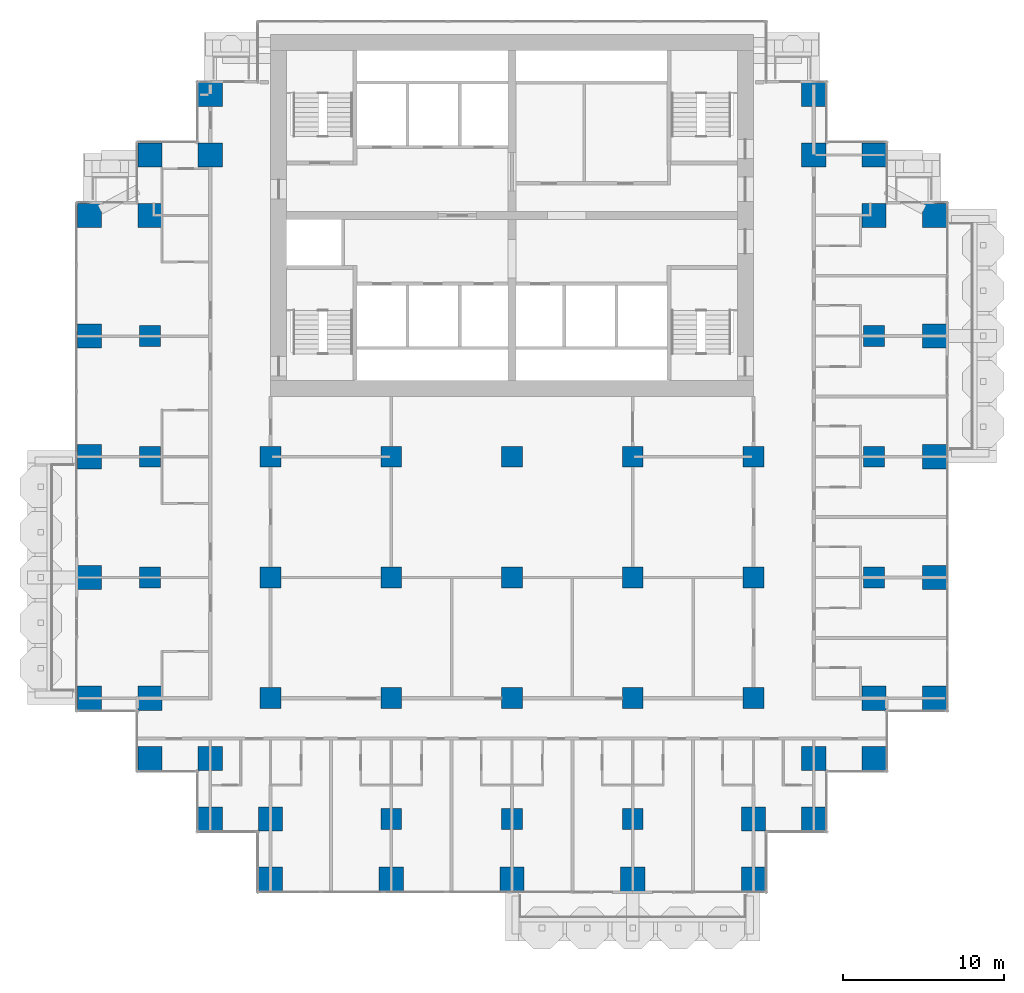
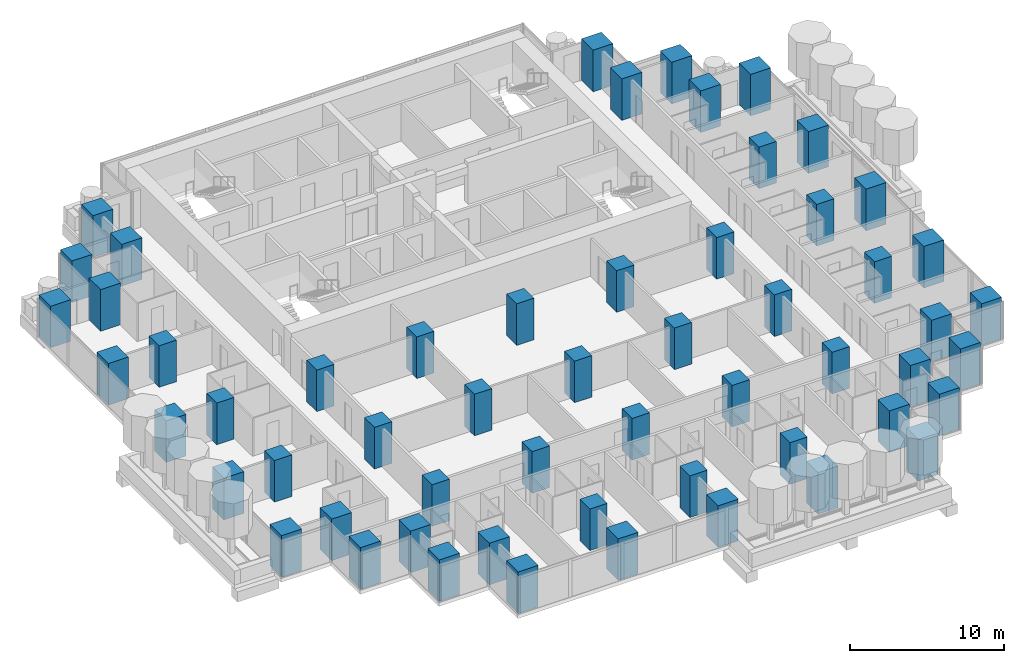
# One storey, part 1 of 20: 57 columns.
"""IFC4 building model written with IfcOpenShell, lengths in metres."""

from ifc_helpers import new_model, si_unit, direction, frame, origin, origin_2d, place, context, subcontext, project, spatial, rectangle, extrude, material, material_profile, profile_set, type_object, element, save


model = new_model("IFC4")

# Units and contexts
model_context = context("Model", 3, precision=1e-05, world=origin(), true_north=direction((0.0, 1.0)))
body_context = subcontext(model_context, "Body", "Model", "MODEL_VIEW")
ifc_project = project(units=[si_unit("LENGTHUNIT", "METRE"), si_unit("AREAUNIT", "SQUARE_METRE"), si_unit("VOLUMEUNIT", "CUBIC_METRE"), si_unit("PLANEANGLEUNIT", "RADIAN"), si_unit("MASSUNIT", "GRAM", prefix="KILO")], contexts=[model_context])

# Site, building, storey
site_placement = place(None, origin())
site = spatial("IfcSite", under=ifc_project, at=site_placement, CompositionType="ELEMENT")
building_placement = place(site_placement, origin())
building = spatial("IfcBuilding", under=site, at=building_placement, Name="Pilkhan Gate Tower", CompositionType="ELEMENT")
storey_placement = place(building_placement, frame((0.0, 0.0, 92.300048828125)))
storey = spatial("IfcBuildingStorey", under=building, at=storey_placement, Name="L22", CompositionType="ELEMENT", Elevation=92.300048828125)

# Columns
ifc_material = material(Name="Concrete C70/85", Category="concrete")
ifc_material_profile_1 = material_profile(ifc_material, rectangle(XDim=1.300048828125, YDim=1.300048828125, at=origin_2d()), Name="RC 1300x1300")
ifc_profile_set_1 = profile_set([ifc_material_profile_1], Name="Concrete C70/85")
column_type_1 = type_object("IfcColumnType", Name="Column C130 RC 1300x1300 C70/85", PredefinedType="COLUMN", material=ifc_profile_set_1)
for number, where, z_axis, x_axis, name in (
    (1, (52.5, 60.0, 0.0), (0.0, 0.0, 1.0), (1.0, 0.0, 0.0), "Column 5/F L22"),
    (2, (52.5, 67.5, 0.0), (0.0, 0.0, 1.0), (1.0, 0.0, 0.0), "Column 5/H L22"),
    (3, (52.5, 75.0, 0.0), (0.0, 0.0, 1.0), (1.0, 0.0, 0.0), "Column 5/K L22"),
    (4, (60.0, 52.5, 0.0), (0.0, 0.0, 1.0), (1.0, 0.0, 0.0), "Column 7/D L22"),
    (5, (60.0, 60.0, 0.0), (0.0, 0.0, 1.0), (1.0, 0.0, 0.0), "Column 7/F L22"),
    (6, (60.0, 67.5, 0.0), (0.0, 0.0, 1.0), (1.0, 0.0, 0.0), "Column 7/H L22"),
    (7, (67.5, 45.0, 0.0), (0.0, 0.0, 1.0), (1.0, 0.0, 0.0), "Column 9/B L22"),
    (8, (67.5, 52.5, 0.0), (0.0, 0.0, 1.0), (1.0, 0.0, 0.0), "Column 9/D L22"),
    (9, (67.5, 60.0, 0.0), (0.0, 0.0, 1.0), (1.0, 0.0, 0.0), "Column 9/F L22"),
    (10, (67.5, 67.5, 0.0), (0.0, 0.0, 1.0), (1.0, 0.0, 0.0), "Column 9/H L22"),
    (11, (75.0, 45.0, 0.0), (0.0, 0.0, 1.0), (1.0, 0.0, 0.0), "Column 11/B L22"),
    (12, (75.0, 52.5, 0.0), (0.0, 0.0, 1.0), (1.0, 0.0, 0.0), "Column 11/D L22"),
    (13, (75.0, 60.0, 0.0), (0.0, 0.0, 1.0), (1.0, 0.0, 0.0), "Column 11/F L22"),
    (14, (75.0, 67.5, 0.0), (0.0, 0.0, 1.0), (1.0, 0.0, 0.0), "Column 11/H L22"),
    (15, (82.5, 45.0, 0.0), (0.0, 0.0, 1.0), (1.0, 0.0, 0.0), "Column 13/B L22"),
    (16, (82.5, 52.5, 0.0), (0.0, 0.0, 1.0), (1.0, 0.0, 0.0), "Column 13/D L22"),
    (17, (82.5, 60.0, 0.0), (0.0, 0.0, 1.0), (1.0, 0.0, 0.0), "Column 13/F L22"),
    (18, (82.5, 67.5, 0.0), (0.0, 0.0, 1.0), (1.0, 0.0, 0.0), "Column 13/H L22"),
    (19, (90.0, 52.5, 0.0), (0.0, 0.0, 1.0), (1.0, 0.0, 0.0), "Column 15/D L22"),
    (20, (90.0, 60.0, 0.0), (0.0, 0.0, 1.0), (1.0, 0.0, 0.0), "Column 15/F L22"),
    (21, (90.0, 67.5, 0.0), (0.0, 0.0, 1.0), (1.0, 0.0, 0.0), "Column 15/H L22"),
    (22, (97.5, 60.0, 0.0), (0.0, 0.0, 1.0), (1.0, 0.0, 0.0), "Column 17/F L22"),
    (23, (97.5, 67.5, 0.0), (0.0, 0.0, 1.0), (1.0, 0.0, 0.0), "Column 17/H L22"),
    (24, (97.5, 75.0, 0.0), (0.0, 0.0, 1.0), (1.0, 0.0, 0.0), "Column 17/K L22"),
):
    element("IfcColumn", number, at=place(storey_placement, frame(where, z_axis=z_axis, x_axis=x_axis)), inside=storey, type_object=column_type_1, Name=name, PredefinedType="COLUMN", context=body_context, shape_type="SweptSolid", body=[
        extrude(rectangle(XDim=1.300048828125, YDim=1.300048828125, at=origin_2d()), origin(), (0.0, 0.0, 1.0), 3.300048828125),
    ])
ifc_material_profile_2 = material_profile(ifc_material, rectangle(XDim=1.5, YDim=1.5, at=origin_2d()), Name="RC 1500x1500")
ifc_profile_set_2 = profile_set([ifc_material_profile_2], Name="Concrete C70/85")
column_type_2 = type_object("IfcColumnType", Name="Column C150 RC 1500x1500 C70/85", PredefinedType="COLUMN", material=ifc_profile_set_2)
for number, where, z_axis, x_axis, name in (
    (25, (48.75, 52.5, 0.0), (0.0, 0.0, 1.0), (1.0, 0.0, 0.0), "Column 4/D L22"),
    (26, (48.75, 60.0, 0.0), (0.0, 0.0, 1.0), (1.0, 0.0, 0.0), "Column 4/F L22"),
    (27, (48.75, 67.5, 0.0), (0.0, 0.0, 1.0), (1.0, 0.0, 0.0), "Column 4/H L22"),
    (28, (48.75, 75.0, 0.0), (0.0, 0.0, 1.0), (1.0, 0.0, 0.0), "Column 4/K L22"),
    (29, (48.75, 82.5, 0.0), (0.0, 0.0, 1.0), (1.0, 0.0, 0.0), "Column 4/M L22"),
    (30, (52.5, 48.75, 0.0), (0.0, 0.0, 1.0), (1.0, 0.0, 0.0), "Column 5/C L22"),
    (31, (52.5, 52.5, 0.0), (0.0, 0.0, 1.0), (1.0, 0.0, 0.0), "Column 5/D L22"),
    (32, (52.5, 82.5, 0.0), (0.0, 0.0, 1.0), (1.0, 0.0, 0.0), "Column 5/M L22"),
    (33, (52.5, 86.25, 0.0), (0.0, 0.0, 1.0), (1.0, 0.0, 0.0), "Column 5/N L22"),
    (34, (56.25, 45.0, 0.0), (0.0, 0.0, 1.0), (1.0, 0.0, 0.0), "Column 6/B L22"),
    (35, (56.25, 48.75, 0.0), (0.0, 0.0, 1.0), (1.0, 0.0, 0.0), "Column 6/C L22"),
    (36, (56.25, 86.25, 0.0), (0.0, 0.0, 1.0), (1.0, 0.0, 0.0), "Column 6/N L22"),
    (37, (56.25, 90.0, 0.0), (0.0, 0.0, 1.0), (1.0, 0.0, 0.0), "Column 6/P L22"),
    (38, (60.0, 41.25, 0.0), (0.0, 0.0, 1.0), (1.0, 0.0, 0.0), "Column 7/A L22"),
    (39, (60.0, 45.0, 0.0), (0.0, 0.0, 1.0), (1.0, 0.0, 0.0), "Column 7/B L22"),
    (40, (67.5, 41.25, 0.0), (0.0, 0.0, 1.0), (1.0, 0.0, 0.0), "Column 9/A L22"),
    (41, (75.0, 41.25, 0.0), (0.0, 0.0, 1.0), (1.0, 0.0, 0.0), "Column 11/A L22"),
    (42, (82.5, 41.25, 0.0), (0.0, 0.0, 1.0), (1.0, 0.0, 0.0), "Column 13/A L22"),
    (43, (90.0, 41.25, 0.0), (0.0, 0.0, 1.0), (1.0, 0.0, 0.0), "Column 15/A L22"),
    (44, (90.0, 45.0, 0.0), (0.0, 0.0, 1.0), (1.0, 0.0, 0.0), "Column 15/B L22"),
    (45, (93.75, 45.0, 0.0), (0.0, 0.0, 1.0), (1.0, 0.0, 0.0), "Column 16/B L22"),
    (46, (93.75, 48.75, 0.0), (0.0, 0.0, 1.0), (1.0, 0.0, 0.0), "Column 16/C L22"),
    (47, (93.75, 86.25, 0.0), (0.0, 0.0, 1.0), (1.0, 0.0, 0.0), "Column 16/N L22"),
    (48, (93.75, 90.0, 0.0), (0.0, 0.0, 1.0), (1.0, 0.0, 0.0), "Column 16/P L22"),
    (49, (97.5, 48.75, 0.0), (0.0, 0.0, 1.0), (1.0, 0.0, 0.0), "Column 17/C L22"),
    (50, (97.5, 52.5, 0.0), (0.0, 0.0, 1.0), (1.0, 0.0, 0.0), "Column 17/D L22"),
    (51, (97.5, 82.5, 0.0), (0.0, 0.0, 1.0), (1.0, 0.0, 0.0), "Column 17/M L22"),
    (52, (97.5, 86.25, 0.0), (0.0, 0.0, 1.0), (1.0, 0.0, 0.0), "Column 17/N L22"),
    (53, (101.25, 52.5, 0.0), (0.0, 0.0, 1.0), (1.0, 0.0, 0.0), "Column 18/D L22"),
    (54, (101.25, 60.0, 0.0), (0.0, 0.0, 1.0), (1.0, 0.0, 0.0), "Column 18/F L22"),
    (55, (101.25, 67.5, 0.0), (0.0, 0.0, 1.0), (1.0, 0.0, 0.0), "Column 18/H L22"),
    (56, (101.25, 75.0, 0.0), (0.0, 0.0, 1.0), (1.0, 0.0, 0.0), "Column 18/K L22"),
    (57, (101.25, 82.5, 0.0), (0.0, 0.0, 1.0), (1.0, 0.0, 0.0), "Column 18/M L22"),
):
    element("IfcColumn", number, at=place(storey_placement, frame(where, z_axis=z_axis, x_axis=x_axis)), inside=storey, type_object=column_type_2, Name=name, PredefinedType="COLUMN", context=body_context, shape_type="SweptSolid", body=[
        extrude(rectangle(XDim=1.5, YDim=1.5, at=origin_2d()), origin(), (0.0, 0.0, 1.0), 3.300048828125),
    ])

save(model, "model.ifc")
